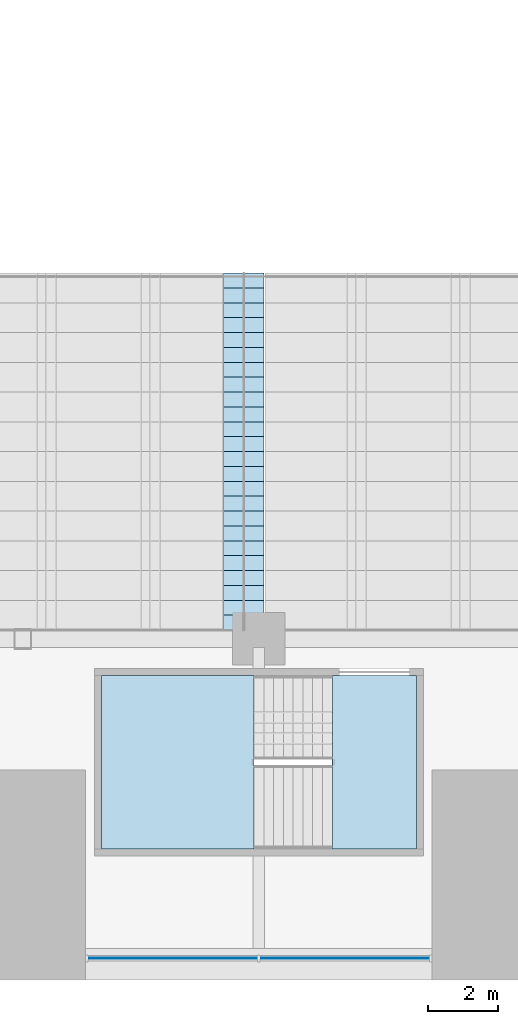
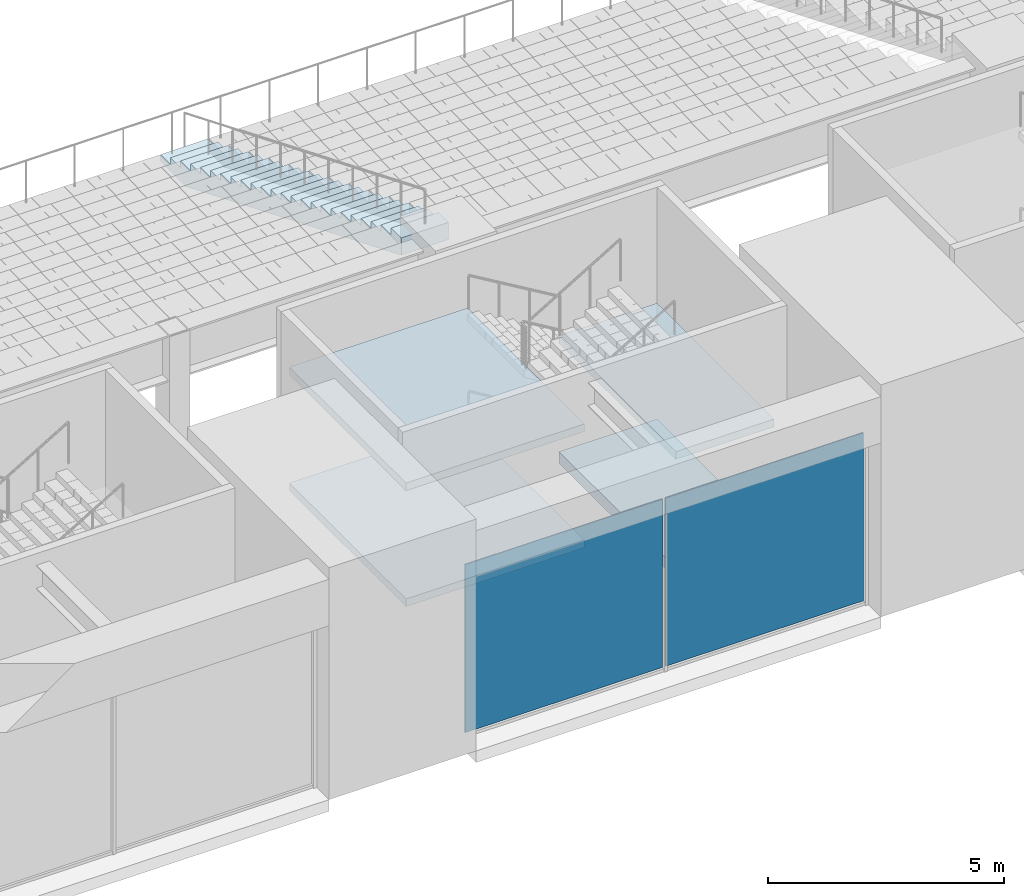
# One storey, part 17 of 61: 5 slabs, 2 plates, 2 elements without a shape of their own.
"""IFC4 building model written with IfcOpenShell, lengths in metres."""

from ifc_helpers import new_model, si_unit, direction, frame, origin, origin_2d, place, context, subcontext, project, spatial, polyline, rectangle, outline, extrude, material, layer, layer_set, type_object, element, aggregate, save


model = new_model("IFC4")

# Units and contexts
model_context = context("Model", 3, precision=1e-05, world=origin(), true_north=direction((0.0, 1.0)))
body_context = subcontext(model_context, "Body", "Model", "MODEL_VIEW")
ifc_project = project(units=[si_unit("LENGTHUNIT", "METRE"), si_unit("AREAUNIT", "SQUARE_METRE"), si_unit("VOLUMEUNIT", "CUBIC_METRE"), si_unit("PLANEANGLEUNIT", "RADIAN"), si_unit("MASSUNIT", "GRAM", prefix="KILO")], contexts=[model_context])

# Site, building, storey
site_placement = place(None, origin())
site = spatial("IfcSite", under=ifc_project, at=site_placement, CompositionType="ELEMENT")
building_placement = place(site_placement, origin())
building = spatial("IfcBuilding", under=site, at=building_placement, Name="Corbelhall Arena Tower", CompositionType="ELEMENT")
storey_placement = place(building_placement, frame((0.0, 0.0, 31.0)))
storey = spatial("IfcBuildingStorey", under=building, at=storey_placement, Name="L04", CompositionType="ELEMENT", Elevation=31.0)

# Slab
ifc_material_1 = material(Name="Precast concrete C40/50", Category="concrete")
ifc_layer_1 = layer(ifc_material_1, 0.25)
ifc_layer_set_1 = layer_set([ifc_layer_1], Name="AISLE STEPS (BC 1029)")
slab_type_1 = type_object("IfcSlabType", Name="AISLE STEPS (BC 1029)", PredefinedType="FLOOR", material=ifc_layer_set_1)
slab_1_placement = place(storey_placement, frame((6.320068359375, -18.800048828125, 1.625), z_axis=(0.0, 0.0, 1.0), x_axis=(0.0, -1.0, 0.0)))
element("IfcSlab", 1, at=slab_1_placement, inside=storey, type_object=slab_type_1, Name="Aisle steps US-AIS2", PredefinedType="FLOOR", context=body_context, shape_type="SweptSolid", body=[
    extrude(outline(polyline([(0.0, 0.0), (0.0, 0.175048828125), (0.425048828125, 0.175048828125), (0.425048828125, 0.35009765625), (0.85009765625, 0.35009765625), (0.85009765625, 0.52490234375), (1.27490234375, 0.52490234375), (1.27490234375, 0.699951171875), (1.699951171875, 0.699951171875), (1.699951171875, 0.875), (2.125, 0.875), (2.125, 1.050048828125), (2.550048828125, 1.050048828125), (2.550048828125, 1.22509765625), (2.97509765625, 1.22509765625), (2.97509765625, 1.39990234375), (3.39990234375, 1.39990234375), (3.39990234375, 1.574951171875), (3.824951171875, 1.574951171875), (3.824951171875, 1.75), (4.25, 1.75), (4.25, 1.925048828125), (4.675048828125, 1.925048828125), (4.675048828125, 2.10009765625), (5.10009765625, 2.10009765625), (5.10009765625, 2.27490234375), (5.52490234375, 2.27490234375), (5.52490234375, 2.449951171875), (5.949951171875, 2.449951171875), (5.949951171875, 2.625), (6.375, 2.625), (6.375, 2.800048828125), (6.800048828125, 2.800048828125), (6.800048828125, 2.97509765625), (7.22509765625, 2.97509765625), (7.22509765625, 3.14990234375), (7.64990234375, 3.14990234375), (7.64990234375, 3.324951171875), (8.074951171875, 3.324951171875), (8.074951171875, 3.5), (8.5, 3.5), (8.5, 3.675048828125), (8.925048828125, 3.675048828125), (8.925048828125, 3.85009765625), (9.35009765625, 3.85009765625), (9.35009765625, 4.02490234375), (9.77490234375, 4.02490234375), (9.77490234375, 4.199951171875), (10.199951171875, 4.199951171875), (10.199951171875, 4.375), (10.199951171875, 3.754638671875), (1.081787109375, 0.0), (0.0, 0.0)])), frame((0.0, 0.580078125, 0.0), z_axis=(0.0, -1.0, 0.0), x_axis=(1.0, 0.0, 0.0)), (0.0, 0.0, 1.0), 1.159912109375),
])

# Stair, slabs
ifc_material_2 = material(Name="Reinforced concrete C40/50", Category="concrete")
stair_type = type_object("IfcStairType", Name="AR-EXIT-STAIR", PredefinedType="HALF_TURN_STAIR", material=ifc_material_2)
stair_placement = place(storey_placement, origin())
stair = element("IfcStair", 2, at=stair_placement, inside=storey, type_object=stair_type, Name="L04 exit stair AS15", PredefinedType="HALF_TURN_STAIR")
ifc_layer_2 = layer(ifc_material_2, 0.199951171875)
ifc_layer_set_2 = layer_set([ifc_layer_2], Name="AR-EXIT-LANDING")
slab_type_2 = type_object("IfcSlabType", Name="AR-EXIT-LANDING", PredefinedType="LANDING", material=ifc_layer_set_2)
slab_2_placement = place(storey_placement, frame((0.0, 0.0, 1.300048828125)))
slab_2 = element("IfcSlab", 3, at=slab_2_placement, type_object=slab_type_2, Name="AS15 landing 1", PredefinedType="LANDING", context=body_context, shape_type="SweptSolid", body=[
    extrude(outline(polyline([(6.610107421875, -30.300048828125), (2.25, -30.300048828125), (2.25, -35.25), (6.610107421875, -35.25), (6.610107421875, -30.300048828125)])), origin(), (0.0, 0.0, 1.0), 0.199951171875),
])
slab_3_placement = place(storey_placement, frame((0.0, 0.0, 2.800048828125)))
slab_3 = element("IfcSlab", 4, at=slab_3_placement, type_object=slab_type_2, Name="AS15 landing 2", PredefinedType="LANDING", context=body_context, shape_type="SweptSolid", body=[
    extrude(outline(polyline([(11.25, -30.300048828125), (8.85009765625, -30.300048828125), (8.85009765625, -35.25), (11.25, -35.25), (11.25, -30.300048828125)])), origin(), (0.0, 0.0, 1.0), 0.199951171875),
])
slab_4_placement = place(storey_placement, frame((0.0, 0.0, 4.300048828125)))
slab_4 = element("IfcSlab", 5, at=slab_4_placement, type_object=slab_type_2, Name="AS15 landing 3", PredefinedType="LANDING", context=body_context, shape_type="SweptSolid", body=[
    extrude(outline(polyline([(6.610107421875, -30.300048828125), (2.25, -30.300048828125), (2.25, -35.25), (6.610107421875, -35.25), (6.610107421875, -30.300048828125)])), origin(), (0.0, 0.0, 1.0), 0.199951171875),
])
aggregate(stair, [slab_2, slab_3, slab_4])

# Slab
ifc_layer_3 = layer(ifc_material_2, 0.300048828125)
ifc_layer_set_3 = layer_set([ifc_layer_3], Name="AR-STAIR-FLOOR")
slab_type_3 = type_object("IfcSlabType", Name="AR-STAIR-FLOOR", PredefinedType="FLOOR", material=ifc_layer_set_3)
slab_5_placement = place(storey_placement, frame((0.0, 0.0, -0.300048828125)))
element("IfcSlab", 6, at=slab_5_placement, inside=storey, type_object=slab_type_3, Name="Stair AS15 floor", PredefinedType="FLOOR", context=body_context, shape_type="SweptSolid", body=[
    extrude(outline(polyline([(11.25, -30.300048828125), (11.25, -35.25), (8.846923828125, -35.25), (8.846923828125, -30.300048828125), (11.25, -30.300048828125)])), origin(), (0.0, 0.0, 1.0), 0.300048828125),
])

# Curtain wall, plates
ifc_material_3 = material(Name="Aluminium black anodised", Category="aluminium")
ifc_layer_4 = layer(ifc_material_3, 0.239990234375)
ifc_layer_set_4 = layer_set([ifc_layer_4], Name="EV-CW4 Arena concourse glazing")
curtain_wall_type = type_object("IfcCurtainWallType", Name="EV-CW4 Arena concourse glazing", PredefinedType="NOTDEFINED", material=ifc_layer_set_4)
curtain_wall_placement = place(storey_placement, origin())
curtain_wall = element("IfcCurtainWall", 7, at=curtain_wall_placement, inside=storey, type_object=curtain_wall_type, Name="Curtain wall CW4", PredefinedType="NOTDEFINED")
ifc_material_4 = material(Name="Glass dark tinted laminated", Category="glass")
ifc_layer_5 = layer(ifc_material_4, 0.028076171875)
ifc_layer_set_5 = layer_set([ifc_layer_5], Name="EV-CW4-PANEL")
plate_type = type_object("IfcPlateType", Name="EV-CW4-PANEL", PredefinedType="CURTAIN_PANEL", material=ifc_layer_set_5)
plate_1_placement = place(storey_placement, frame((4.293701171875, -38.3798828125, 0.074951171875), z_axis=(0.0, 0.0, 1.0), x_axis=(1.0, 0.0, 0.0)))
plate_1 = element("IfcPlate", 8, at=plate_1_placement, type_object=plate_type, Name="CW4 panel 1.1", PredefinedType="CURTAIN_PANEL", context=body_context, shape_type="SweptSolid", body=[
    extrude(rectangle(XDim=4.83740234375, YDim=0.028076171875, at=origin_2d()), origin(), (0.0, 0.0, 1.0), 4.35009765625),
])
plate_2_placement = place(storey_placement, frame((9.206298828125, -38.3798828125, 0.074951171875), z_axis=(0.0, 0.0, 1.0), x_axis=(1.0, 0.0, 0.0)))
plate_2 = element("IfcPlate", 9, at=plate_2_placement, type_object=plate_type, Name="CW4 panel 2.1", PredefinedType="CURTAIN_PANEL", context=body_context, shape_type="SweptSolid", body=[
    extrude(rectangle(XDim=4.83740234375, YDim=0.028076171875, at=origin_2d()), origin(), (0.0, 0.0, 1.0), 4.35009765625),
])
aggregate(curtain_wall, [plate_1, plate_2])

save(model, "model.ifc")
